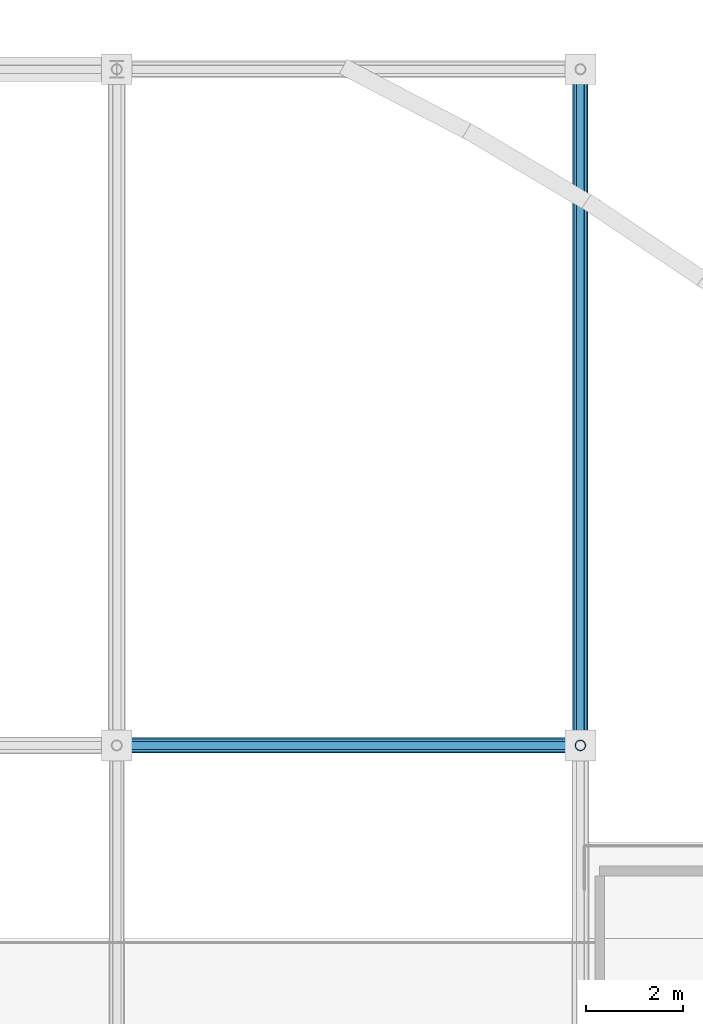
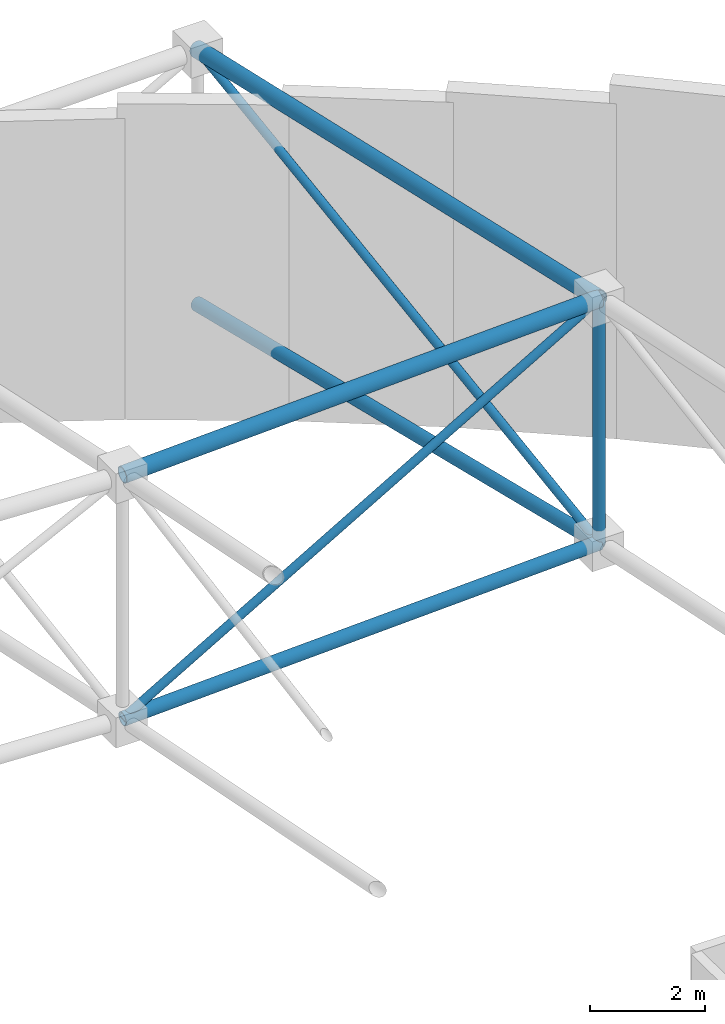
# One storey, part 141 of 193: 7 members.
"""IFC4 building model written with IfcOpenShell, lengths in metres."""

from ifc_helpers import new_model, si_unit, direction, frame, origin, origin_2d, place, context, subcontext, project, spatial, hollow_circle, extrude, material, material_profile, profile_set, type_object, element, save


model = new_model("IFC4")

# Units and contexts
model_context = context("Model", 3, precision=1e-05, world=origin(), true_north=direction((0.0, 1.0)))
body_context = subcontext(model_context, "Body", "Model", "MODEL_VIEW")
ifc_project = project(units=[si_unit("LENGTHUNIT", "METRE"), si_unit("AREAUNIT", "SQUARE_METRE"), si_unit("VOLUMEUNIT", "CUBIC_METRE"), si_unit("PLANEANGLEUNIT", "RADIAN"), si_unit("MASSUNIT", "GRAM", prefix="KILO")], contexts=[model_context])

# Site, building, storey
site_placement = place(None, origin())
site = spatial("IfcSite", under=ifc_project, at=site_placement, CompositionType="ELEMENT")
building_placement = place(site_placement, origin())
building = spatial("IfcBuilding", under=site, at=building_placement, Name="Danafjord Basin Convention Centre", CompositionType="ELEMENT")
storey_placement = place(building_placement, frame((0.0, 0.0, 11.39990234375)))
storey = spatial("IfcBuildingStorey", under=building, at=storey_placement, Name="L02", CompositionType="ELEMENT", Elevation=11.39990234375)

# Members
ifc_material = material(Name="Steel S355", Category="steel")
ifc_material_profile_1 = material_profile(ifc_material, hollow_circle(Radius=0.136474609375, WallThickness=0.012451171875, at=origin_2d()), Name="CHS 273.0x12.5")
ifc_profile_set_1 = profile_set([ifc_material_profile_1], Name="Steel S355")
member_type_1 = type_object("IfcMemberType", Name="MEM-CH-CHS273", PredefinedType="CHORD", material=ifc_profile_set_1)
member_1_placement = place(storey_placement, frame((172.800048828125, 130.0, 10.666015625), z_axis=(0.999159685328, 0.0, 0.040986866367), x_axis=(0.0, 1.0, 0.0)))
element("IfcMember", 1, at=member_1_placement, inside=storey, type_object=member_type_1, Name="V2 roof truss longitudinal bottom chord", PredefinedType="CHORD", context=body_context, shape_type="SweptSolid", body=[
    extrude(hollow_circle(Radius=0.136474609375, WallThickness=0.012451171875, at=origin_2d()), origin(), (0.0, 0.0, 1.0), 9.60791015625),
])
member_2_placement = place(storey_placement, frame((182.39990234375, 130.0, 11.059814453125), z_axis=(0.0, 0.971599626019, -0.236630865949), x_axis=(-1.0, 0.0, 0.0)))
element("IfcMember", 2, at=member_2_placement, inside=storey, type_object=member_type_1, Name="V2 roof truss transverse bottom chord", PredefinedType="CHORD", context=body_context, shape_type="SweptSolid", body=[
    extrude(hollow_circle(Radius=0.136474609375, WallThickness=0.012451171875, at=origin_2d()), origin(), (0.0, 0.0, 1.0), 14.4091796875),
])
ifc_material_profile_2 = material_profile(ifc_material, hollow_circle(Radius=0.161865234375, WallThickness=0.01611328125, at=origin_2d()), Name="CHS 323.9x16.0")
ifc_profile_set_2 = profile_set([ifc_material_profile_2], Name="Steel S355")
member_type_2 = type_object("IfcMemberType", Name="MEM-CH-CHS324", PredefinedType="CHORD", material=ifc_profile_set_2)
member_3_placement = place(storey_placement, frame((172.800048828125, 130.0, 15.8662109375), z_axis=(0.999160725622, 0.0, 0.040961498683), x_axis=(0.0, 1.0, 0.0)))
element("IfcMember", 3, at=member_3_placement, inside=storey, type_object=member_type_2, Name="V2 roof truss longitudinal top chord", PredefinedType="CHORD", context=body_context, shape_type="SweptSolid", body=[
    extrude(hollow_circle(Radius=0.161865234375, WallThickness=0.01611328125, at=origin_2d()), origin(), (0.0, 0.0, 1.0), 9.60791015625),
])
member_4_placement = place(storey_placement, frame((182.39990234375, 130.0, 16.259765625), z_axis=(0.0, 0.975091413877, -0.221803369186), x_axis=(-1.0, 0.0, 0.0)))
element("IfcMember", 4, at=member_4_placement, inside=storey, type_object=member_type_2, Name="V2 roof truss transverse top chord", PredefinedType="CHORD", context=body_context, shape_type="SweptSolid", body=[
    extrude(hollow_circle(Radius=0.161865234375, WallThickness=0.01611328125, at=origin_2d()), origin(), (0.0, 0.0, 1.0), 14.357666015625),
])
ifc_material_profile_3 = material_profile(ifc_material, hollow_circle(Radius=0.109619140625, WallThickness=0.010009765625, at=origin_2d()), Name="CHS 219.1x10.0")
ifc_profile_set_3 = profile_set([ifc_material_profile_3], Name="Steel S355")
member_type_3 = type_object("IfcMemberType", Name="MEM-ST-CHS219", PredefinedType="STRUT", material=ifc_profile_set_3)
member_5_placement = place(storey_placement, frame((182.39990234375, 130.0, 11.059814453125), z_axis=(0.0, 0.0, 1.0), x_axis=(1.0, 0.0, 0.0)))
element("IfcMember", 5, at=member_5_placement, inside=storey, type_object=member_type_3, Name="V2 roof truss vertical strut", PredefinedType="STRUT", context=body_context, shape_type="SweptSolid", body=[
    extrude(hollow_circle(Radius=0.109619140625, WallThickness=0.010009765625, at=origin_2d()), origin(), (0.0, 0.0, 1.0), 5.199951171875),
])
ifc_material_profile_4 = material_profile(ifc_material, hollow_circle(Radius=0.084228515625, WallThickness=0.008056640625, at=origin_2d()), Name="CHS 168.3x8.0")
ifc_profile_set_4 = profile_set([ifc_material_profile_4], Name="Steel S355")
member_type_4 = type_object("IfcMemberType", Name="MEM-WB-CHS168", PredefinedType="MEMBER", material=ifc_profile_set_4)
member_6_placement = place(storey_placement, frame((172.800048828125, 130.0, 10.666015625), z_axis=(0.864020282577, 0.0, 0.503457000443), x_axis=(0.0, 1.0, 0.0)))
element("IfcMember", 6, at=member_6_placement, inside=storey, type_object=member_type_4, Name="V2 space-frame longitudinal web", PredefinedType="MEMBER", context=body_context, shape_type="SweptSolid", body=[
    extrude(hollow_circle(Radius=0.084228515625, WallThickness=0.008056640625, at=origin_2d()), origin(), (0.0, 0.0, 1.0), 11.110595703125),
])
member_7_placement = place(storey_placement, frame((182.39990234375, 130.0, 11.059814453125), z_axis=(0.0, 0.989796680829, 0.142486948944), x_axis=(-1.0, 0.0, 0.0)))
element("IfcMember", 7, at=member_7_placement, inside=storey, type_object=member_type_4, Name="V2 space-frame transverse web", PredefinedType="MEMBER", context=body_context, shape_type="SweptSolid", body=[
    extrude(hollow_circle(Radius=0.084228515625, WallThickness=0.008056640625, at=origin_2d()), origin(), (0.0, 0.0, 1.0), 14.144287109375),
])

save(model, "model.ifc")
